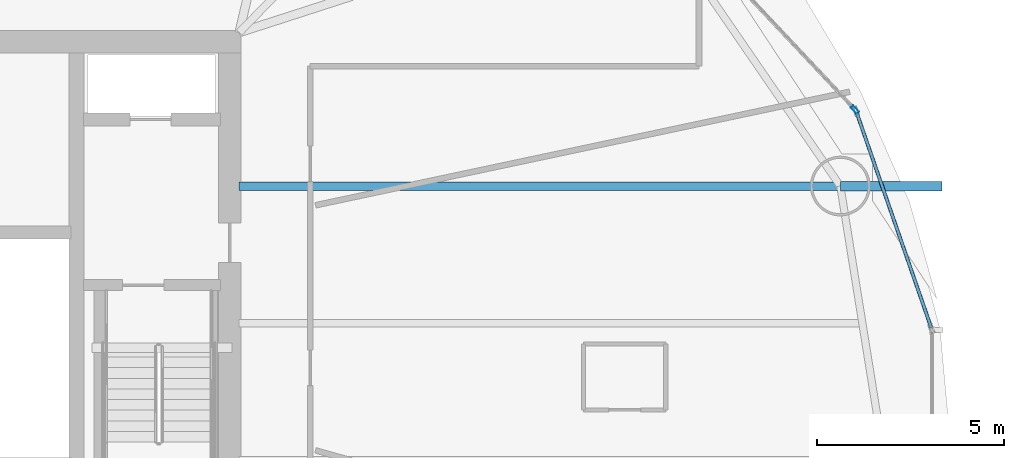
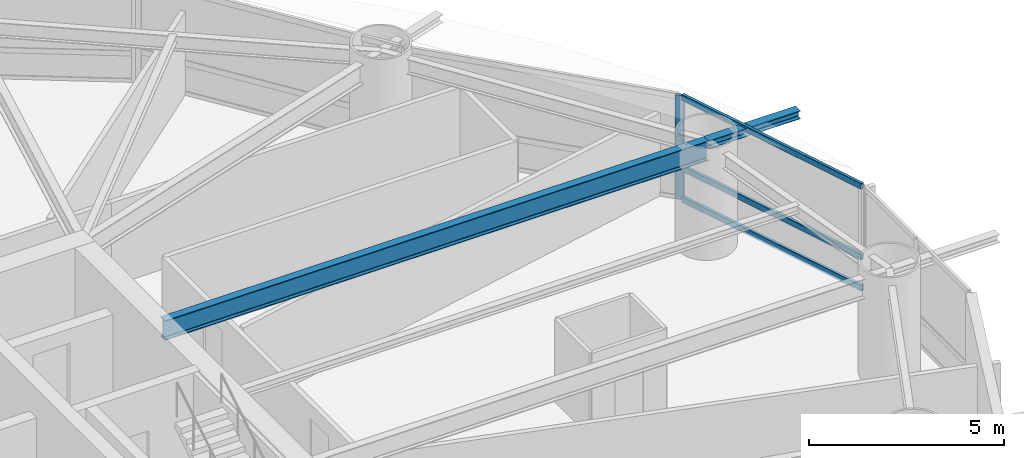
# One storey, part 11 of 27: 4 members, 2 beams, 2 elements without a shape of their own.
"""IFC4 building model written with IfcOpenShell, lengths in metres."""

from ifc_helpers import new_model, si_unit, direction, frame, origin, origin_2d, place, context, subcontext, project, spatial, hollow_rectangle, i_section, extrude, material, layer, layer_set, material_profile, profile_set, type_object, element, aggregate, save


model = new_model("IFC4")

# Units and contexts
model_context = context("Model", 3, precision=1e-05, world=origin(), true_north=direction((0.0, 1.0)))
body_context = subcontext(model_context, "Body", "Model", "MODEL_VIEW")
ifc_project = project(units=[si_unit("LENGTHUNIT", "METRE"), si_unit("AREAUNIT", "SQUARE_METRE"), si_unit("VOLUMEUNIT", "CUBIC_METRE"), si_unit("PLANEANGLEUNIT", "RADIAN"), si_unit("MASSUNIT", "GRAM", prefix="KILO")], contexts=[model_context])

# Site, building, storey
site_placement = place(None, origin())
site = spatial("IfcSite", under=ifc_project, at=site_placement, CompositionType="ELEMENT")
building_placement = place(site_placement, origin())
building = spatial("IfcBuilding", under=site, at=building_placement, Name="Bramvorn Convention Spire", CompositionType="ELEMENT")
storey_placement = place(building_placement, frame((0.0, 0.0, 79.89990234375)))
storey = spatial("IfcBuildingStorey", under=building, at=storey_placement, Name="L18", CompositionType="ELEMENT", Elevation=79.89990234375)

# Beams
ifc_material_1 = material(Name="Steel CSA G40.21 Grade 350 (350W)", Category="steel")
ifc_material_profile_1 = material_profile(ifc_material_1, i_section(OverallWidth=0.25390625, OverallDepth=0.2529296875, WebThickness=0.008544921875, FlangeThickness=0.01416015625, FilletRadius=0.011962890625, at=origin_2d()))
ifc_profile_set_1 = profile_set([ifc_material_profile_1], Name="Steel CSA G40.21 Grade 350 (350W) - W250X73")
beam_type_1 = type_object("IfcBeamType", Name="BM-W250X73", PredefinedType="BEAM", material=ifc_profile_set_1)
beam_1_placement = place(storey_placement, frame((65.338623046875, 29.340087890625, 3.12353515625), z_axis=(1.0, 0.0, 0.0), x_axis=(0.0, 1.0, 0.0)))
element("IfcBeam", 1, at=beam_1_placement, inside=storey, type_object=beam_type_1, Name="L18 slab-edge cantilever tip beam MC02", PredefinedType="BEAM", context=body_context, shape_type="SweptSolid", body=[
    extrude(i_section(OverallWidth=0.25390625, OverallDepth=0.2529296875, WebThickness=0.008544921875, FlangeThickness=0.01416015625, FilletRadius=0.011962890625, at=origin_2d()), origin(), (0.0, 0.0, 1.0), 2.72412109375),
])
ifc_material_profile_2 = material_profile(ifc_material_1, i_section(OverallWidth=0.22998046875, OverallDepth=0.616943359375, WebThickness=0.01318359375, FlangeThickness=0.022216796875, FilletRadius=0.02001953125, at=origin_2d()))
ifc_profile_set_2 = profile_set([ifc_material_profile_2], Name="Steel CSA G40.21 Grade 350 (350W) - W610X140")
beam_type_2 = type_object("IfcBeamType", Name="BM-W610X140", PredefinedType="BEAM", material=ifc_profile_set_2)
beam_2_placement = place(storey_placement, frame((49.25, 29.340087890625, 2.941650390625), z_axis=(1.0, 0.0, 0.0), x_axis=(0.0, 1.0, 0.0)))
element("IfcBeam", 2, at=beam_2_placement, inside=storey, type_object=beam_type_2, Name="L18 radial floor girder MC02", PredefinedType="BEAM", context=body_context, shape_type="SweptSolid", body=[
    extrude(i_section(OverallWidth=0.22998046875, OverallDepth=0.616943359375, WebThickness=0.01318359375, FlangeThickness=0.022216796875, FilletRadius=0.02001953125, at=origin_2d()), origin(), (0.0, 0.0, 1.0), 16.088623046875),
])

# Curtain wall, member
ifc_material_2 = material(Name="Anodised Bronze Unitised Curtain Wall", Category="aluminium")
ifc_layer = layer(ifc_material_2, 0.219970703125)
ifc_layer_set = layer_set([ifc_layer], Name="Anodised Bronze Unitised Curtain Wall - CW-SKYGARDEN")
curtain_wall_type = type_object("IfcCurtainWallType", Name="CW-SKYGARDEN", PredefinedType="USERDEFINED", material=ifc_layer_set)
curtain_wall_1_placement = place(storey_placement, origin())
curtain_wall_1 = element("IfcCurtainWall", 3, at=curtain_wall_1_placement, inside=storey, type_object=curtain_wall_type, Name="L18 Sky Garden glazed facade 03", ObjectType="WINTER GARDEN GLAZING", PredefinedType="USERDEFINED")
ifc_material_3 = material(Name="Anodised Bronze Aluminium 6063-T6", Category="aluminium")
ifc_material_profile_3 = material_profile(ifc_material_3, hollow_rectangle(XDim=0.090087890625, YDim=0.239990234375, WallThickness=0.00439453125, InnerFilletRadius=0.0009765625, OuterFilletRadius=0.00439453125, at=origin_2d()))
ifc_profile_set_3 = profile_set([ifc_material_profile_3], Name="Anodised Bronze Aluminium 6063-T6 - CWM90X240")
member_type_1 = type_object("IfcMemberType", Name="CW-MUL-220", PredefinedType="MULLION", material=ifc_profile_set_3)
member_1_placement = place(storey_placement, frame((65.73583984375, 31.3837890625, 0.0), z_axis=(0.0, 0.0, 1.0), x_axis=(0.728141435771, 0.68542691041, 0.0)))
member_1 = element("IfcMember", 4, at=member_1_placement, type_object=member_type_1, Name="CW4 mullion 2", PredefinedType="MULLION", context=body_context, shape_type="SweptSolid", body=[
    extrude(hollow_rectangle(XDim=0.090087890625, YDim=0.239990234375, WallThickness=0.00439453125, InnerFilletRadius=0.0009765625, OuterFilletRadius=0.00439453125, at=origin_2d()), origin(), (0.0, 0.0, 1.0), 3.25),
])
aggregate(curtain_wall_1, [member_1])

# Curtain wall, members
curtain_wall_2_placement = place(storey_placement, origin())
curtain_wall_2 = element("IfcCurtainWall", 5, at=curtain_wall_2_placement, inside=storey, type_object=curtain_wall_type, Name="L18 Sky Garden glazed facade 02", ObjectType="WINTER GARDEN GLAZING", PredefinedType="USERDEFINED")
ifc_material_profile_4 = material_profile(ifc_material_3, hollow_rectangle(XDim=0.090087890625, YDim=0.179931640625, WallThickness=0.00439453125, InnerFilletRadius=0.0009765625, OuterFilletRadius=0.00439453125, at=origin_2d()))
ifc_profile_set_4 = profile_set([ifc_material_profile_4], Name="Anodised Bronze Aluminium 6063-T6 - CWT90X180")
member_type_2 = type_object("IfcMemberType", Name="CW-TRN-180", PredefinedType="USERDEFINED", material=ifc_profile_set_4)
member_2_placement = place(storey_placement, frame((65.776123046875, 31.30517578125, 0.030029296875), z_axis=(0.327578514403, -0.9448239608, 0.0), x_axis=(0.9448239608, 0.327578514403, 0.0)))
member_2 = element("IfcMember", 6, at=member_2_placement, type_object=member_type_2, Name="CW4 transom 1.1", ObjectType="TRANSOM", PredefinedType="USERDEFINED", context=body_context, shape_type="SweptSolid", body=[
    extrude(hollow_rectangle(XDim=0.090087890625, YDim=0.179931640625, WallThickness=0.00439453125, InnerFilletRadius=0.0009765625, OuterFilletRadius=0.00439453125, at=origin_2d()), origin(), (0.0, 0.0, 1.0), 6.092041015625),
])
member_3_placement = place(storey_placement, frame((65.776123046875, 31.30517578125, 1.0), z_axis=(0.327578514403, -0.9448239608, 0.0), x_axis=(0.9448239608, 0.327578514403, 0.0)))
member_3 = element("IfcMember", 7, at=member_3_placement, type_object=member_type_2, Name="CW4 transom 1.2", ObjectType="TRANSOM", PredefinedType="USERDEFINED", context=body_context, shape_type="SweptSolid", body=[
    extrude(hollow_rectangle(XDim=0.090087890625, YDim=0.179931640625, WallThickness=0.00439453125, InnerFilletRadius=0.0009765625, OuterFilletRadius=0.00439453125, at=origin_2d()), origin(), (0.0, 0.0, 1.0), 6.092041015625),
])
member_4_placement = place(storey_placement, frame((65.776123046875, 31.30517578125, 3.22021484375), z_axis=(0.327578514403, -0.9448239608, 0.0), x_axis=(0.9448239608, 0.327578514403, 0.0)))
member_4 = element("IfcMember", 8, at=member_4_placement, type_object=member_type_2, Name="CW4 transom 1.3", ObjectType="TRANSOM", PredefinedType="USERDEFINED", context=body_context, shape_type="SweptSolid", body=[
    extrude(hollow_rectangle(XDim=0.090087890625, YDim=0.179931640625, WallThickness=0.00439453125, InnerFilletRadius=0.0009765625, OuterFilletRadius=0.00439453125, at=origin_2d()), origin(), (0.0, 0.0, 1.0), 6.092041015625),
])
aggregate(curtain_wall_2, [member_2, member_3, member_4])

save(model, "model.ifc")
